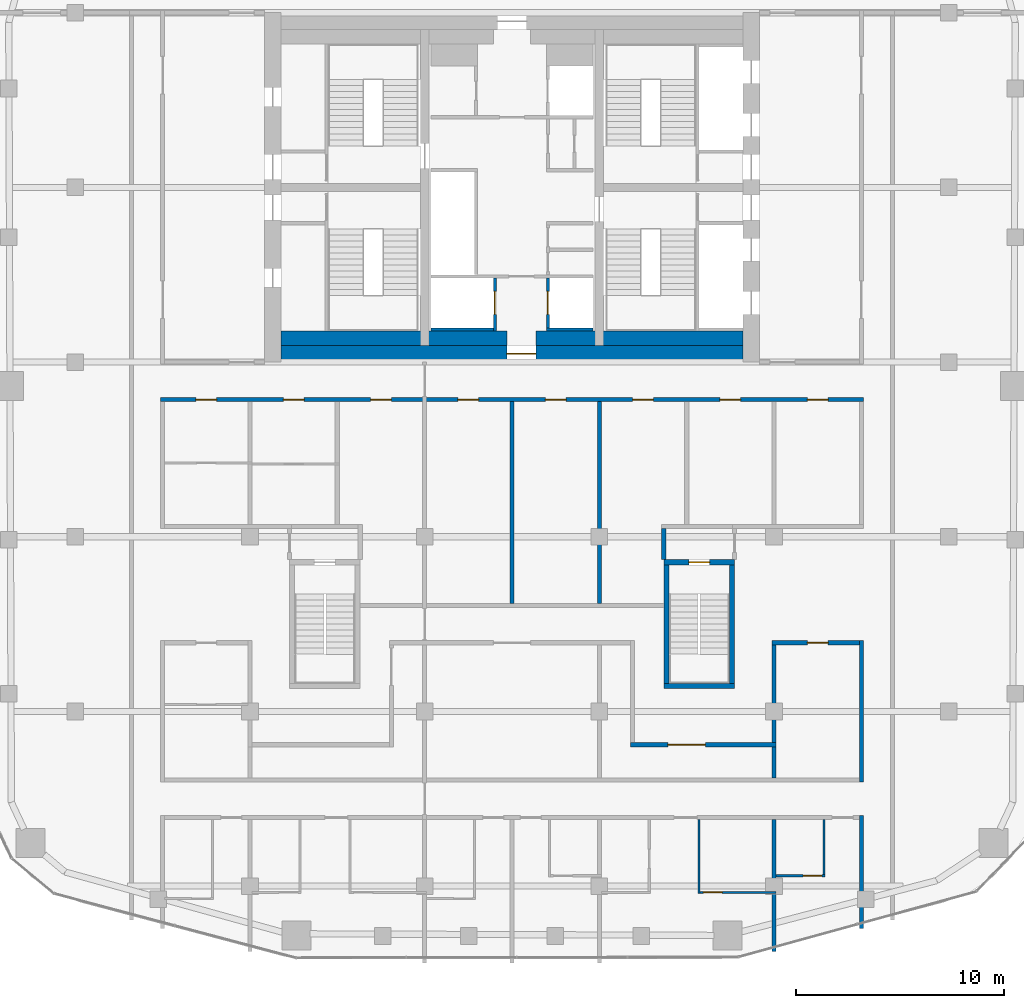
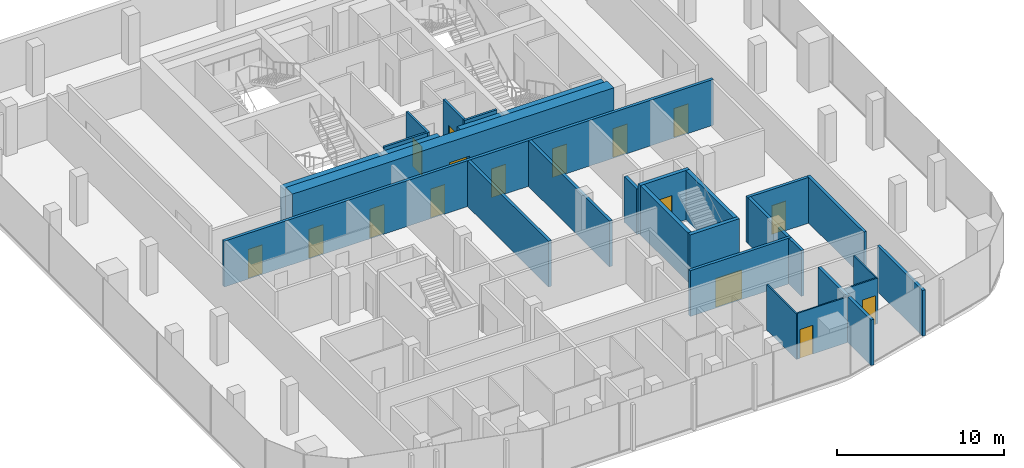
# One storey, part 15 of 20: 26 walls, 16 doors, 16 openings.
"""IFC4 building model written with IfcOpenShell, lengths in metres."""

from ifc_helpers import new_model, si_unit, direction, frame, frame_2d, origin, place, context, subcontext, project, spatial, rectangle, extrude, material, layer, layer_set, type_object, element, fill, save


model = new_model("IFC4")

# Units and contexts
model_context = context("Model", 3, precision=1e-05, world=origin(), true_north=direction((0.0, 1.0)))
body_context = subcontext(model_context, "Body", "Model", "MODEL_VIEW")
ifc_project = project(units=[si_unit("LENGTHUNIT", "METRE"), si_unit("AREAUNIT", "SQUARE_METRE"), si_unit("VOLUMEUNIT", "CUBIC_METRE"), si_unit("PLANEANGLEUNIT", "RADIAN"), si_unit("MASSUNIT", "GRAM", prefix="KILO")], contexts=[model_context])

# Site, building, storey
site_placement = place(None, origin())
site = spatial("IfcSite", under=ifc_project, at=site_placement, CompositionType="ELEMENT")
building_placement = place(site_placement, origin())
building = spatial("IfcBuilding", under=site, at=building_placement, Name="Marenta Gate Hotel Tower", CompositionType="ELEMENT")
storey_placement = place(building_placement, frame((0.0, 0.0, 216.5)))
storey = spatial("IfcBuildingStorey", under=building, at=storey_placement, Name="L50", CompositionType="ELEMENT", Elevation=216.5)

# Walls
ifc_material_1 = material(Name="Concrete C40", Category="concrete")
ifc_layer_1 = layer(ifc_material_1, 0.699951171875)
ifc_layer_set_1 = layer_set([ifc_layer_1], Name="Concrete C40")
wall_type_1 = type_object("IfcWallType", Name="Core lining wall 700 REI 180", PredefinedType="PARTITIONING", material=ifc_layer_set_1)
wall_1_placement = place(storey_placement, frame((-11.10009765625, 1.14990234375, 0.0), z_axis=(0.0, 0.0, 1.0), x_axis=(1.0, 0.0, 0.0)))
element("IfcWall", 1, at=wall_1_placement, inside=storey, type_object=wall_type_1, Name="L50-CP-LN-S1", PredefinedType="PARTITIONING", context=body_context, shape_type="SweptSolid", body=[
    extrude(rectangle(XDim=10.85009765625, YDim=0.699951171875, at=frame_2d((5.425048828125, 0.0))), origin(), (0.0, 0.0, 1.0), 3.340087890625),
])
wall_2_placement = place(storey_placement, frame((1.14990234375, 1.14990234375, 0.0), z_axis=(0.0, 0.0, 1.0), x_axis=(1.0, 0.0, 0.0)))
element("IfcWall", 2, at=wall_2_placement, inside=storey, type_object=wall_type_1, Name="L50-CP-LN-S2", PredefinedType="PARTITIONING", context=body_context, shape_type="SweptSolid", body=[
    extrude(rectangle(XDim=9.9501953125, YDim=0.699951171875, at=frame_2d((4.97509765625, 0.0))), origin(), (0.0, 0.0, 1.0), 3.340087890625),
])

# Wall, opening, door
ifc_material_2 = material(Name="Concrete C40", Category="concrete")
ifc_layer_2 = layer(ifc_material_2, 0.14990234375)
ifc_layer_set_2 = layer_set([ifc_layer_2], Name="Concrete C40")
wall_type_2 = type_object("IfcWallType", Name="Core shaft wall 150 REI 180", PredefinedType="SHEAR", material=ifc_layer_set_2)
wall_3_placement = place(storey_placement, frame((-0.824951171875, 1.5, 0.0), z_axis=(0.0, 0.0, 1.0), x_axis=(0.0, 1.0, 0.0)))
wall_3 = element("IfcWall", 3, at=wall_3_placement, inside=storey, type_object=wall_type_2, Name="L50-SHF-CW-W-ff", PredefinedType="SHEAR", context=body_context, shape_type="SweptSolid", body=[
    extrude(rectangle(XDim=2.550048828125, YDim=0.14990234375, at=frame_2d((1.27490234375, 0.0))), origin(), (0.0, 0.0, 1.0), 3.60009765625),
])
opening_1_placement = place(wall_3_placement, frame((0.800048828125, 0.0, 0.0)))
opening_1 = element("IfcOpeningElement", 4, at=opening_1_placement, cuts=wall_3, Name="Opening LD-FF1", PredefinedType="OPENING", context=body_context, shape_type="SweptSolid", body=[
    extrude(rectangle(XDim=1.10009765625, YDim=2.10009765625, at=frame_2d((0.550048828125, 1.050048828125))), frame((0.0, 0.074951171875, 0.0), z_axis=(0.0, -1.0, 0.0), x_axis=(1.0, 0.0, 0.0)), (0.0, 0.0, 1.0), 0.14990234375),
])
ifc_material_3 = material(Name="Steel", Category="steel")
door_type_1 = type_object("IfcDoorType", Name="Core lift landing door 1100x2100 E 60", OperationType="SLIDING_TO_LEFT", PredefinedType="DOOR", material=ifc_material_3)
door_1_placement = place(opening_1_placement, origin())
door_1 = element("IfcDoor", 5, at=door_1_placement, inside=storey, type_object=door_type_1, Name="LD-FF1", OperationType="SLIDING_TO_LEFT", OverallHeight=2.10009765625, OverallWidth=1.10009765625, PredefinedType="DOOR", context=body_context, shape_type="SweptSolid", body=[
    extrude(rectangle(XDim=1.10009765625, YDim=2.10009765625, at=frame_2d((0.550048828125, 1.050048828125))), frame((0.0, 0.02490234375, 0.0), z_axis=(0.0, -1.0, 0.0), x_axis=(1.0, 0.0, 0.0)), (0.0, 0.0, 1.0), 0.050048828125),
])
fill(opening_1, door_1)

# Wall
wall_4_placement = place(storey_placement, frame((-3.89990234375, 1.574951171875, 0.0), z_axis=(0.0, 0.0, 1.0), x_axis=(1.0, 0.0, 0.0)))
element("IfcWall", 6, at=wall_4_placement, inside=storey, type_object=wall_type_2, Name="L50-SHF-CW-W-ffs", PredefinedType="SHEAR", context=body_context, shape_type="SweptSolid", body=[
    extrude(rectangle(XDim=3.0, YDim=0.14990234375, at=frame_2d((1.5, 0.0))), origin(), (0.0, 0.0, 1.0), 3.60009765625),
])

# Wall, opening, door
wall_5_placement = place(storey_placement, frame((1.72509765625, 1.64990234375, 0.0), z_axis=(0.0, 0.0, 1.0), x_axis=(0.0, 1.0, 0.0)))
wall_5 = element("IfcWall", 7, at=wall_5_placement, inside=storey, type_object=wall_type_2, Name="L50-SHF-CE-S-ls", PredefinedType="SHEAR", context=body_context, shape_type="SweptSolid", body=[
    extrude(rectangle(XDim=2.400146484375, YDim=0.14990234375, at=frame_2d((1.2001953125, 0.0))), origin(), (0.0, 0.0, 1.0), 3.60009765625),
])
opening_2_placement = place(wall_5_placement, frame((0.64990234375, 0.0, 0.0)))
opening_2 = element("IfcOpeningElement", 8, at=opening_2_placement, cuts=wall_5, Name="Opening LD-SV1", PredefinedType="OPENING", context=body_context, shape_type="SweptSolid", body=[
    extrude(rectangle(XDim=1.10009765625, YDim=2.10009765625, at=frame_2d((0.550048828125, 1.050048828125))), frame((0.0, 0.074951171875, 0.0), z_axis=(0.0, -1.0, 0.0), x_axis=(1.0, 0.0, 0.0)), (0.0, 0.0, 1.0), 0.14990234375),
])
door_2_placement = place(opening_2_placement, origin())
door_2 = element("IfcDoor", 9, at=door_2_placement, inside=storey, type_object=door_type_1, Name="LD-SV1", OperationType="SLIDING_TO_LEFT", OverallHeight=2.10009765625, OverallWidth=1.10009765625, PredefinedType="DOOR", context=body_context, shape_type="SweptSolid", body=[
    extrude(rectangle(XDim=1.10009765625, YDim=2.10009765625, at=frame_2d((0.550048828125, 1.050048828125))), frame((0.0, 0.02490234375, 0.0), z_axis=(0.0, -1.0, 0.0), x_axis=(1.0, 0.0, 0.0)), (0.0, 0.0, 1.0), 0.050048828125),
])
fill(opening_2, door_2)

# Wall
wall_6_placement = place(storey_placement, frame((1.64990234375, 1.574951171875, 0.0), z_axis=(0.0, 0.0, 1.0), x_axis=(1.0, 0.0, 0.0)))
element("IfcWall", 10, at=wall_6_placement, inside=storey, type_object=wall_type_2, Name="L50-SHF-CE-S-bot", PredefinedType="SHEAR", context=body_context, shape_type="SweptSolid", body=[
    extrude(rectangle(XDim=2.25, YDim=0.14990234375, at=frame_2d((1.125, 0.0))), origin(), (0.0, 0.0, 1.0), 3.60009765625),
])

# Wall, opening, door
ifc_material_4 = material(Name="Concrete C60", Category="concrete")
ifc_layer_3 = layer(ifc_material_4, 0.800048828125)
ifc_layer_set_3 = layer_set([ifc_layer_3], Name="Concrete C60")
wall_type_3 = type_object("IfcWallType", Name="Core wall 800 C60", PredefinedType="SHEAR", material=ifc_layer_set_3)
wall_7_placement = place(storey_placement, frame((-11.10009765625, 0.39990234375, 0.0), z_axis=(0.0, 0.0, 1.0), x_axis=(1.0, 0.0, 0.0)))
wall_7 = element("IfcWall", 11, at=wall_7_placement, inside=storey, type_object=wall_type_3, Name="L50-CORE-S", PredefinedType="SHEAR", context=body_context, shape_type="SweptSolid", body=[
    extrude(rectangle(XDim=22.2001953125, YDim=0.800048828125, at=frame_2d((11.10009765625, 0.0))), origin(), (0.0, 0.0, 1.0), 3.60009765625),
])
opening_3_placement = place(wall_7_placement, frame((10.85009765625, 0.0, 0.0)))
opening_3 = element("IfcOpeningElement", 12, at=opening_3_placement, cuts=wall_7, Name="Opening RFD-S", PredefinedType="OPENING", context=body_context, shape_type="SweptSolid", body=[
    extrude(rectangle(XDim=1.39990234375, YDim=2.10009765625, at=frame_2d((0.699951171875, 1.050048828125))), frame((0.0, 0.39990234375, 0.0), z_axis=(0.0, -1.0, 0.0), x_axis=(1.0, 0.0, 0.0)), (0.0, 0.0, 1.0), 0.800048828125),
])
ifc_material_5 = material(Name="Steel", Category="steel")
door_type_2 = type_object("IfcDoorType", Name="Core lobby door 1400x2100 FD60", OperationType="SINGLE_SWING_LEFT", PredefinedType="DOOR", material=ifc_material_5)
door_3_placement = place(opening_3_placement, origin())
door_3 = element("IfcDoor", 13, at=door_3_placement, inside=storey, type_object=door_type_2, Name="RFD-S", OperationType="SINGLE_SWING_LEFT", OverallHeight=2.10009765625, OverallWidth=1.39990234375, PredefinedType="DOOR", context=body_context, shape_type="SweptSolid", body=[
    extrude(rectangle(XDim=1.39990234375, YDim=2.10009765625, at=frame_2d((0.699951171875, 1.050048828125))), frame((0.0, 0.02490234375, 0.0), z_axis=(0.0, -1.0, 0.0), x_axis=(1.0, 0.0, 0.0)), (0.0, 0.0, 1.0), 0.050048828125),
])
fill(opening_3, door_3)

# Wall
ifc_material_6 = material(Name="Concrete C40", Category="concrete")
ifc_layer_4 = layer(ifc_material_6, 0.25)
ifc_layer_set_4 = layer_set([ifc_layer_4], Name="Concrete C40")
wall_type_4 = type_object("IfcWallType", Name="Remote stair enclosure wall 250 REI 180", PredefinedType="SHEAR", material=ifc_layer_set_4)
wall_8_placement = place(storey_placement, frame((7.300048828125, -15.574951171875, 0.10009765625), z_axis=(0.0, 0.0, 1.0), x_axis=(1.0, 0.0, 0.0)))
element("IfcWall", 14, at=wall_8_placement, inside=storey, type_object=wall_type_4, Name="L50-RS-Z3-2-W1", PredefinedType="SHEAR", context=body_context, shape_type="SweptSolid", body=[
    extrude(rectangle(XDim=3.39990234375, YDim=0.25, at=frame_2d((1.699951171875, 0.0))), origin(), (0.0, 0.0, 1.0), 3.599853515625),
])

# Wall, opening, door
wall_9_placement = place(storey_placement, frame((7.300048828125, -9.625, 0.10009765625), z_axis=(0.0, 0.0, 1.0), x_axis=(1.0, 0.0, 0.0)))
wall_9 = element("IfcWall", 15, at=wall_9_placement, inside=storey, type_object=wall_type_4, Name="L50-RS-Z3-2-W2", PredefinedType="SHEAR", context=body_context, shape_type="SweptSolid", body=[
    extrude(rectangle(XDim=3.39990234375, YDim=0.25, at=frame_2d((1.699951171875, 0.0))), origin(), (0.0, 0.0, 1.0), 3.599853515625),
])
opening_4_placement = place(wall_9_placement, frame((1.199951171875, 0.0, 0.0)))
opening_4 = element("IfcOpeningElement", 16, at=opening_4_placement, cuts=wall_9, Name="Opening VD", PredefinedType="OPENING", context=body_context, shape_type="SweptSolid", body=[
    extrude(rectangle(XDim=1.0, YDim=2.10009765625, at=frame_2d((0.5, 1.050048828125))), frame((0.0, 0.125, 0.0), z_axis=(0.0, -1.0, 0.0), x_axis=(1.0, 0.0, 0.0)), (0.0, 0.0, 1.0), 0.25),
])
ifc_material_7 = material(Name="Steel", Category="steel")
door_type_3 = type_object("IfcDoorType", Name="Stair vestibule door 1000x2100 FD60", OperationType="SINGLE_SWING_LEFT", PredefinedType="DOOR", material=ifc_material_7)
door_4_placement = place(opening_4_placement, origin())
door_4 = element("IfcDoor", 17, at=door_4_placement, inside=storey, type_object=door_type_3, Name="VD", OperationType="SINGLE_SWING_LEFT", OverallHeight=2.10009765625, OverallWidth=1.0, PredefinedType="DOOR", context=body_context, shape_type="SweptSolid", body=[
    extrude(rectangle(XDim=1.0, YDim=2.10009765625, at=frame_2d((0.5, 1.050048828125))), frame((0.0, 0.02490234375, 0.0), z_axis=(0.0, -1.0, 0.0), x_axis=(1.0, 0.0, 0.0)), (0.0, 0.0, 1.0), 0.050048828125),
])
fill(opening_4, door_4)

# Walls
for number, where, z_axis, x_axis, name in (
    (18, (7.425048828125, -15.449951171875, 0.10009765625), (0.0, 0.0, 1.0), (0.0, 1.0, 0.0), "L50-RS-Z3-2-W3"),
    (19, (10.574951171875, -15.449951171875, 0.10009765625), (0.0, 0.0, 1.0), (0.0, 1.0, 0.0), "L50-RS-Z3-2-W4"),
):
    element("IfcWall", number, at=place(storey_placement, frame(where, z_axis=z_axis, x_axis=x_axis)), inside=storey, type_object=wall_type_4, Name=name, PredefinedType="SHEAR", context=body_context, shape_type="SweptSolid", body=[
        extrude(rectangle(XDim=5.699951171875, YDim=0.25, at=frame_2d((2.85009765625, 0.0))), origin(), (0.0, 0.0, 1.0), 3.599853515625),
    ])

# Wall, openings, doors
ifc_material_8 = material(Name="Concrete blockwork", Category="masonry")
ifc_layer_5 = layer(ifc_material_8, 0.199951171875)
ifc_layer_set_5 = layer_set([ifc_layer_5], Name="Concrete blockwork")
wall_type_5 = type_object("IfcWallType", Name="Room corridor wall 200 EI 120", PredefinedType="PARTITIONING", material=ifc_layer_set_5)
wall_10_placement = place(storey_placement, frame((-16.89990234375, -1.800048828125, 0.0), z_axis=(0.0, 0.0, 1.0), x_axis=(1.0, 0.0, 0.0)))
wall_10 = element("IfcWall", 20, at=wall_10_placement, inside=storey, type_object=wall_type_5, Name="L50-PTN-W043", PredefinedType="PARTITIONING", context=body_context, shape_type="SweptSolid", body=[
    extrude(rectangle(XDim=33.7998046875, YDim=0.199951171875, at=frame_2d((16.89990234375, 0.0))), origin(), (0.0, 0.0, 1.0), 3.340087890625),
])
opening_5_placement = place(wall_10_placement, frame((1.699951171875, 0.0, 0.0)))
opening_5 = element("IfcOpeningElement", 21, at=opening_5_placement, cuts=wall_10, Name="Opening G18-01", PredefinedType="OPENING", context=body_context, shape_type="SweptSolid", body=[
    extrude(rectangle(XDim=1.0, YDim=2.10009765625, at=frame_2d((0.5, 1.050048828125))), frame((0.0, 0.10009765625, 0.0), z_axis=(0.0, -1.0, 0.0), x_axis=(1.0, 0.0, 0.0)), (0.0, 0.0, 1.0), 0.199951171875),
])
opening_6_placement = place(wall_10_placement, frame((5.89990234375, 0.0, 0.0)))
opening_6 = element("IfcOpeningElement", 22, at=opening_6_placement, cuts=wall_10, Name="Opening G18-03", PredefinedType="OPENING", context=body_context, shape_type="SweptSolid", body=[
    extrude(rectangle(XDim=1.0, YDim=2.10009765625, at=frame_2d((0.5, 1.050048828125))), frame((0.0, 0.10009765625, 0.0), z_axis=(0.0, -1.0, 0.0), x_axis=(1.0, 0.0, 0.0)), (0.0, 0.0, 1.0), 0.199951171875),
])
opening_7_placement = place(wall_10_placement, frame((10.10009765625, 0.0, 0.0)))
opening_7 = element("IfcOpeningElement", 23, at=opening_7_placement, cuts=wall_10, Name="Opening G18-05", PredefinedType="OPENING", context=body_context, shape_type="SweptSolid", body=[
    extrude(rectangle(XDim=1.0, YDim=2.10009765625, at=frame_2d((0.5, 1.050048828125))), frame((0.0, 0.10009765625, 0.0), z_axis=(0.0, -1.0, 0.0), x_axis=(1.0, 0.0, 0.0)), (0.0, 0.0, 1.0), 0.199951171875),
])
opening_8_placement = place(wall_10_placement, frame((14.300048828125, 0.0, 0.0)))
opening_8 = element("IfcOpeningElement", 24, at=opening_8_placement, cuts=wall_10, Name="Opening G18-06", PredefinedType="OPENING", context=body_context, shape_type="SweptSolid", body=[
    extrude(rectangle(XDim=1.0, YDim=2.10009765625, at=frame_2d((0.5, 1.050048828125))), frame((0.0, 0.10009765625, 0.0), z_axis=(0.0, -1.0, 0.0), x_axis=(1.0, 0.0, 0.0)), (0.0, 0.0, 1.0), 0.199951171875),
])
opening_9_placement = place(wall_10_placement, frame((18.5, 0.0, 0.0)))
opening_9 = element("IfcOpeningElement", 25, at=opening_9_placement, cuts=wall_10, Name="Opening G18-07", PredefinedType="OPENING", context=body_context, shape_type="SweptSolid", body=[
    extrude(rectangle(XDim=1.0, YDim=2.10009765625, at=frame_2d((0.5, 1.050048828125))), frame((0.0, 0.10009765625, 0.0), z_axis=(0.0, -1.0, 0.0), x_axis=(1.0, 0.0, 0.0)), (0.0, 0.0, 1.0), 0.199951171875),
])
opening_10_placement = place(wall_10_placement, frame((22.699951171875, 0.0, 0.0)))
opening_10 = element("IfcOpeningElement", 26, at=opening_10_placement, cuts=wall_10, Name="Opening G18-08", PredefinedType="OPENING", context=body_context, shape_type="SweptSolid", body=[
    extrude(rectangle(XDim=1.0, YDim=2.10009765625, at=frame_2d((0.5, 1.050048828125))), frame((0.0, 0.10009765625, 0.0), z_axis=(0.0, -1.0, 0.0), x_axis=(1.0, 0.0, 0.0)), (0.0, 0.0, 1.0), 0.199951171875),
])
opening_11_placement = place(wall_10_placement, frame((26.89990234375, 0.0, 0.0)))
opening_11 = element("IfcOpeningElement", 27, at=opening_11_placement, cuts=wall_10, Name="Opening G18-09", PredefinedType="OPENING", context=body_context, shape_type="SweptSolid", body=[
    extrude(rectangle(XDim=1.0, YDim=2.10009765625, at=frame_2d((0.5, 1.050048828125))), frame((0.0, 0.10009765625, 0.0), z_axis=(0.0, -1.0, 0.0), x_axis=(1.0, 0.0, 0.0)), (0.0, 0.0, 1.0), 0.199951171875),
])
opening_12_placement = place(wall_10_placement, frame((31.10009765625, 0.0, 0.0)))
opening_12 = element("IfcOpeningElement", 28, at=opening_12_placement, cuts=wall_10, Name="Opening G18-10", PredefinedType="OPENING", context=body_context, shape_type="SweptSolid", body=[
    extrude(rectangle(XDim=1.0, YDim=2.10009765625, at=frame_2d((0.5, 1.050048828125))), frame((0.0, 0.10009765625, 0.0), z_axis=(0.0, -1.0, 0.0), x_axis=(1.0, 0.0, 0.0)), (0.0, 0.0, 1.0), 0.199951171875),
])
ifc_material_9 = material(Name="Timber door leaf", Category="wood")
door_type_4 = type_object("IfcDoorType", Name="Room amenity door 1000x2100 EI 60", OperationType="NOTDEFINED", PredefinedType="DOOR", material=ifc_material_9)
door_5_placement = place(opening_7_placement, origin())
door_5 = element("IfcDoor", 29, at=door_5_placement, inside=storey, type_object=door_type_4, Name="L50-PD-D005", OperationType="SINGLE_SWING_RIGHT", OverallHeight=2.10009765625, OverallWidth=1.0, PredefinedType="DOOR", context=body_context, shape_type="SweptSolid", body=[
    extrude(rectangle(XDim=1.0, YDim=2.10009765625, at=frame_2d((0.5, 1.050048828125))), frame((0.0, 0.02490234375, 0.0), z_axis=(0.0, -1.0, 0.0), x_axis=(1.0, 0.0, 0.0)), (0.0, 0.0, 1.0), 0.050048828125),
])
fill(opening_7, door_5)
door_6_placement = place(opening_8_placement, origin())
door_6 = element("IfcDoor", 30, at=door_6_placement, inside=storey, type_object=door_type_4, Name="L50-PD-D006", OperationType="SINGLE_SWING_LEFT", OverallHeight=2.10009765625, OverallWidth=1.0, PredefinedType="DOOR", context=body_context, shape_type="SweptSolid", body=[
    extrude(rectangle(XDim=1.0, YDim=2.10009765625, at=frame_2d((0.5, 1.050048828125))), frame((0.0, 0.02490234375, 0.0), z_axis=(0.0, -1.0, 0.0), x_axis=(1.0, 0.0, 0.0)), (0.0, 0.0, 1.0), 0.050048828125),
])
fill(opening_8, door_6)
door_7_placement = place(opening_9_placement, origin())
door_7 = element("IfcDoor", 31, at=door_7_placement, inside=storey, type_object=door_type_4, Name="L50-PD-D007", OperationType="SINGLE_SWING_RIGHT", OverallHeight=2.10009765625, OverallWidth=1.0, PredefinedType="DOOR", context=body_context, shape_type="SweptSolid", body=[
    extrude(rectangle(XDim=1.0, YDim=2.10009765625, at=frame_2d((0.5, 1.050048828125))), frame((0.0, 0.02490234375, 0.0), z_axis=(0.0, -1.0, 0.0), x_axis=(1.0, 0.0, 0.0)), (0.0, 0.0, 1.0), 0.050048828125),
])
fill(opening_9, door_7)
door_8_placement = place(opening_10_placement, origin())
door_8 = element("IfcDoor", 32, at=door_8_placement, inside=storey, type_object=door_type_4, Name="L50-PD-D008", OperationType="SINGLE_SWING_LEFT", OverallHeight=2.10009765625, OverallWidth=1.0, PredefinedType="DOOR", context=body_context, shape_type="SweptSolid", body=[
    extrude(rectangle(XDim=1.0, YDim=2.10009765625, at=frame_2d((0.5, 1.050048828125))), frame((0.0, 0.02490234375, 0.0), z_axis=(0.0, -1.0, 0.0), x_axis=(1.0, 0.0, 0.0)), (0.0, 0.0, 1.0), 0.050048828125),
])
fill(opening_10, door_8)
door_9_placement = place(opening_11_placement, origin())
door_9 = element("IfcDoor", 33, at=door_9_placement, inside=storey, type_object=door_type_4, Name="L50-PD-D009", OperationType="SINGLE_SWING_RIGHT", OverallHeight=2.10009765625, OverallWidth=1.0, PredefinedType="DOOR", context=body_context, shape_type="SweptSolid", body=[
    extrude(rectangle(XDim=1.0, YDim=2.10009765625, at=frame_2d((0.5, 1.050048828125))), frame((0.0, 0.02490234375, 0.0), z_axis=(0.0, -1.0, 0.0), x_axis=(1.0, 0.0, 0.0)), (0.0, 0.0, 1.0), 0.050048828125),
])
fill(opening_11, door_9)
door_10_placement = place(opening_12_placement, origin())
door_10 = element("IfcDoor", 34, at=door_10_placement, inside=storey, type_object=door_type_4, Name="L50-PD-D010", OperationType="SINGLE_SWING_LEFT", OverallHeight=2.10009765625, OverallWidth=1.0, PredefinedType="DOOR", context=body_context, shape_type="SweptSolid", body=[
    extrude(rectangle(XDim=1.0, YDim=2.10009765625, at=frame_2d((0.5, 1.050048828125))), frame((0.0, 0.02490234375, 0.0), z_axis=(0.0, -1.0, 0.0), x_axis=(1.0, 0.0, 0.0)), (0.0, 0.0, 1.0), 0.050048828125),
])
fill(opening_12, door_10)
ifc_material_10 = material(Name="Hollow steel door set", Category="steel")
door_type_5 = type_object("IfcDoorType", Name="Room service door 1000x2100 EI 60", OperationType="NOTDEFINED", PredefinedType="DOOR", material=ifc_material_10)
door_11_placement = place(opening_5_placement, origin())
door_11 = element("IfcDoor", 35, at=door_11_placement, inside=storey, type_object=door_type_5, Name="L50-PD-D001", OperationType="SINGLE_SWING_LEFT", OverallHeight=2.10009765625, OverallWidth=1.0, PredefinedType="DOOR", context=body_context, shape_type="SweptSolid", body=[
    extrude(rectangle(XDim=1.0, YDim=2.10009765625, at=frame_2d((0.5, 1.050048828125))), frame((0.0, 0.02490234375, 0.0), z_axis=(0.0, -1.0, 0.0), x_axis=(1.0, 0.0, 0.0)), (0.0, 0.0, 1.0), 0.050048828125),
])
fill(opening_5, door_11)
door_12_placement = place(opening_6_placement, origin())
door_12 = element("IfcDoor", 36, at=door_12_placement, inside=storey, type_object=door_type_5, Name="L50-PD-D003", OperationType="SINGLE_SWING_LEFT", OverallHeight=2.10009765625, OverallWidth=1.0, PredefinedType="DOOR", context=body_context, shape_type="SweptSolid", body=[
    extrude(rectangle(XDim=1.0, YDim=2.10009765625, at=frame_2d((0.5, 1.050048828125))), frame((0.0, 0.02490234375, 0.0), z_axis=(0.0, -1.0, 0.0), x_axis=(1.0, 0.0, 0.0)), (0.0, 0.0, 1.0), 0.050048828125),
])
fill(opening_6, door_12)

# Wall, opening, door
ifc_material_11 = material(Name="Gypsum board on steel stud", Category="steel")
ifc_layer_6 = layer(ifc_material_11, 0.199951171875)
ifc_layer_set_6 = layer_set([ifc_layer_6], Name="Gypsum board on steel stud")
wall_type_6 = type_object("IfcWallType", Name="Room corridor wall 200 EI 60", PredefinedType="PARTITIONING", material=ifc_layer_set_6)
wall_11_placement = place(storey_placement, frame((5.699951171875, -18.39990234375, 0.0), z_axis=(0.0, 0.0, 1.0), x_axis=(1.0, 0.0, 0.0)))
wall_11 = element("IfcWall", 37, at=wall_11_placement, inside=storey, type_object=wall_type_6, Name="L50-PTN-W012", PredefinedType="PARTITIONING", context=body_context, shape_type="SweptSolid", body=[
    extrude(rectangle(XDim=7.0, YDim=0.199951171875, at=frame_2d((3.5, 0.0))), origin(), (0.0, 0.0, 1.0), 3.340087890625),
])
opening_13_placement = place(wall_11_placement, frame((1.800048828125, 0.0, 0.0)))
opening_13 = element("IfcOpeningElement", 38, at=opening_13_placement, cuts=wall_11, Name="Opening G18-15", PredefinedType="OPENING", context=body_context, shape_type="SweptSolid", body=[
    extrude(rectangle(XDim=1.800048828125, YDim=2.10009765625, at=frame_2d((0.89990234375, 1.050048828125))), frame((0.0, 0.10009765625, 0.0), z_axis=(0.0, -1.0, 0.0), x_axis=(1.0, 0.0, 0.0)), (0.0, 0.0, 1.0), 0.199951171875),
])
ifc_material_12 = material(Name="Timber door leaf", Category="wood")
door_type_6 = type_object("IfcDoorType", Name="Room amenity door 1800x2100 EI 30", OperationType="DOUBLE_DOOR_SINGLE_SWING", PredefinedType="DOOR", material=ifc_material_12)
door_13_placement = place(opening_13_placement, origin())
door_13 = element("IfcDoor", 39, at=door_13_placement, inside=storey, type_object=door_type_6, Name="L50-PD-D015", OperationType="DOUBLE_DOOR_SINGLE_SWING", OverallHeight=2.10009765625, OverallWidth=1.800048828125, PredefinedType="DOOR", context=body_context, shape_type="SweptSolid", body=[
    extrude(rectangle(XDim=1.800048828125, YDim=2.10009765625, at=frame_2d((0.89990234375, 1.050048828125))), frame((0.0, 0.02490234375, 0.0), z_axis=(0.0, -1.0, 0.0), x_axis=(1.0, 0.0, 0.0)), (0.0, 0.0, 1.0), 0.050048828125),
])
fill(opening_13, door_13)

# Walls
wall_12_placement = place(storey_placement, frame((16.800048828125, -27.22900390625, 0.0), z_axis=(0.0, 0.0, 1.0), x_axis=(0.0, 1.0, 0.0)))
element("IfcWall", 40, at=wall_12_placement, inside=storey, type_object=wall_type_6, Name="L50-PTN-W014", PredefinedType="PARTITIONING", context=body_context, shape_type="SweptSolid", body=[
    extrude(rectangle(XDim=5.428955078125, YDim=0.199951171875, at=frame_2d((2.71435546875, 0.0))), origin(), (0.0, 0.0, 1.0), 3.340087890625),
])
wall_13_placement = place(storey_placement, frame((16.800048828125, -20.199951171875, 0.0), z_axis=(0.0, 0.0, 1.0), x_axis=(0.0, 1.0, 0.0)))
element("IfcWall", 41, at=wall_13_placement, inside=storey, type_object=wall_type_6, Name="L50-PTN-W015", PredefinedType="PARTITIONING", context=body_context, shape_type="SweptSolid", body=[
    extrude(rectangle(XDim=6.800048828125, YDim=0.199951171875, at=frame_2d((3.39990234375, 0.0))), origin(), (0.0, 0.0, 1.0), 3.340087890625),
])

# Wall, opening, door
wall_14_placement = place(storey_placement, frame((12.5, -13.5, 0.0), z_axis=(0.0, 0.0, 1.0), x_axis=(1.0, 0.0, 0.0)))
wall_14 = element("IfcWall", 42, at=wall_14_placement, inside=storey, type_object=wall_type_6, Name="L50-PTN-W021", PredefinedType="PARTITIONING", context=body_context, shape_type="SweptSolid", body=[
    extrude(rectangle(XDim=4.199951171875, YDim=0.199951171875, at=frame_2d((2.10009765625, 0.0))), origin(), (0.0, 0.0, 1.0), 3.340087890625),
])
opening_14_placement = place(wall_14_placement, frame((1.699951171875, 0.0, 0.0)))
opening_14 = element("IfcOpeningElement", 43, at=opening_14_placement, cuts=wall_14, Name="Opening G18-16", PredefinedType="OPENING", context=body_context, shape_type="SweptSolid", body=[
    extrude(rectangle(XDim=1.0, YDim=2.10009765625, at=frame_2d((0.5, 1.050048828125))), frame((0.0, 0.10009765625, 0.0), z_axis=(0.0, -1.0, 0.0), x_axis=(1.0, 0.0, 0.0)), (0.0, 0.0, 1.0), 0.199951171875),
])
ifc_material_13 = material(Name="Timber door leaf", Category="wood")
door_type_7 = type_object("IfcDoorType", Name="Room amenity door 1000x2100 EI 30", OperationType="NOTDEFINED", PredefinedType="DOOR", material=ifc_material_13)
door_14_placement = place(opening_14_placement, origin())
door_14 = element("IfcDoor", 44, at=door_14_placement, inside=storey, type_object=door_type_7, Name="L50-PD-D016", OperationType="SINGLE_SWING_RIGHT", OverallHeight=2.10009765625, OverallWidth=1.0, PredefinedType="DOOR", context=body_context, shape_type="SweptSolid", body=[
    extrude(rectangle(XDim=1.0, YDim=2.10009765625, at=frame_2d((0.5, 1.050048828125))), frame((0.0, 0.02490234375, 0.0), z_axis=(0.0, -1.0, 0.0), x_axis=(1.0, 0.0, 0.0)), (0.0, 0.0, 1.0), 0.050048828125),
])
fill(opening_14, door_14)

# Wall
wall_15_placement = place(storey_placement, frame((12.60009765625, -18.300048828125, 0.0), z_axis=(0.0, 0.0, 1.0), x_axis=(0.0, 1.0, 0.0)))
element("IfcWall", 45, at=wall_15_placement, inside=storey, type_object=wall_type_6, Name="L50-PTN-W025", PredefinedType="PARTITIONING", context=body_context, shape_type="SweptSolid", body=[
    extrude(rectangle(XDim=4.699951171875, YDim=0.199951171875, at=frame_2d((2.35009765625, 0.0))), origin(), (0.0, 0.0, 1.0), 3.340087890625),
])

# Wall, opening, door
ifc_material_14 = material(Name="Gypsum board on steel stud", Category="steel")
ifc_layer_7 = layer(ifc_material_14, 0.10009765625)
ifc_layer_set_7 = layer_set([ifc_layer_7], Name="Gypsum board on steel stud")
wall_type_7 = type_object("IfcWallType", Name="Room partition 100", PredefinedType="PARTITIONING", material=ifc_layer_set_7)
wall_16_placement = place(storey_placement, frame((9.050048828125, -25.5, 0.0), z_axis=(0.0, 0.0, 1.0), x_axis=(1.0, 0.0, 0.0)))
wall_16 = element("IfcWall", 46, at=wall_16_placement, inside=storey, type_object=wall_type_7, Name="L50-PTN-W006", PredefinedType="PARTITIONING", context=body_context, shape_type="SweptSolid", body=[
    extrude(rectangle(XDim=3.64990234375, YDim=0.10009765625, at=frame_2d((1.824951171875, 0.0))), origin(), (0.0, 0.0, 1.0), 3.340087890625),
])
opening_15_placement = place(wall_16_placement, frame((0.14990234375, 0.0, 0.0)))
opening_15 = element("IfcOpeningElement", 47, at=opening_15_placement, cuts=wall_16, Name="Opening G18-27", PredefinedType="OPENING", context=body_context, shape_type="SweptSolid", body=[
    extrude(rectangle(XDim=0.89990234375, YDim=2.10009765625, at=frame_2d((0.449951171875, 1.050048828125))), frame((0.0, 0.050048828125, 0.0), z_axis=(0.0, -1.0, 0.0), x_axis=(1.0, 0.0, 0.0)), (0.0, 0.0, 1.0), 0.10009765625),
])
ifc_material_15 = material(Name="Timber door leaf", Category="wood")
door_type_8 = type_object("IfcDoorType", Name="Guest bathroom door 900x2100", OperationType="NOTDEFINED", PredefinedType="DOOR", material=ifc_material_15)
door_15_placement = place(opening_15_placement, origin())
door_15 = element("IfcDoor", 48, at=door_15_placement, inside=storey, type_object=door_type_8, Name="L50-PD-D027", OperationType="SINGLE_SWING_LEFT", OverallHeight=2.10009765625, OverallWidth=0.89990234375, PredefinedType="DOOR", context=body_context, shape_type="SweptSolid", body=[
    extrude(rectangle(XDim=0.89990234375, YDim=2.10009765625, at=frame_2d((0.449951171875, 1.050048828125))), frame((0.0, 0.02490234375, 0.0), z_axis=(0.0, -1.0, 0.0), x_axis=(1.0, 0.0, 0.0)), (0.0, 0.0, 1.0), 0.050048828125),
])
fill(opening_15, door_15)

wall_17_placement = place(storey_placement, frame((12.699951171875, -24.699951171875, 0.0), z_axis=(0.0, 0.0, 1.0), x_axis=(1.0, 0.0, 0.0)))
wall_17 = element("IfcWall", 49, at=wall_17_placement, inside=storey, type_object=wall_type_7, Name="L50-PTN-W008", PredefinedType="PARTITIONING", context=body_context, shape_type="SweptSolid", body=[
    extrude(rectangle(XDim=2.35009765625, YDim=0.10009765625, at=frame_2d((1.175048828125, 0.0))), origin(), (0.0, 0.0, 1.0), 3.340087890625),
])
opening_16_placement = place(wall_17_placement, frame((1.300048828125, 0.0, 0.0)))
opening_16 = element("IfcOpeningElement", 50, at=opening_16_placement, cuts=wall_17, Name="Opening G18-30", PredefinedType="OPENING", context=body_context, shape_type="SweptSolid", body=[
    extrude(rectangle(XDim=0.89990234375, YDim=2.10009765625, at=frame_2d((0.449951171875, 1.050048828125))), frame((0.0, 0.050048828125, 0.0), z_axis=(0.0, -1.0, 0.0), x_axis=(1.0, 0.0, 0.0)), (0.0, 0.0, 1.0), 0.10009765625),
])
door_16_placement = place(opening_16_placement, origin())
door_16 = element("IfcDoor", 51, at=door_16_placement, inside=storey, type_object=door_type_8, Name="L50-PD-D030", OperationType="SINGLE_SWING_RIGHT", OverallHeight=2.10009765625, OverallWidth=0.89990234375, PredefinedType="DOOR", context=body_context, shape_type="SweptSolid", body=[
    extrude(rectangle(XDim=0.89990234375, YDim=2.10009765625, at=frame_2d((0.449951171875, 1.050048828125))), frame((0.0, 0.02490234375, 0.0), z_axis=(0.0, -1.0, 0.0), x_axis=(1.0, 0.0, 0.0)), (0.0, 0.0, 1.0), 0.050048828125),
])
fill(opening_16, door_16)

# Walls
wall_18_placement = place(storey_placement, frame((15.0, -24.64990234375, 0.0), z_axis=(0.0, 0.0, 1.0), x_axis=(0.0, 1.0, 0.0)))
element("IfcWall", 52, at=wall_18_placement, inside=storey, type_object=wall_type_7, Name="L50-PTN-W018", PredefinedType="PARTITIONING", context=body_context, shape_type="SweptSolid", body=[
    extrude(rectangle(XDim=2.64990234375, YDim=0.10009765625, at=frame_2d((1.324951171875, 0.0))), origin(), (0.0, 0.0, 1.0), 3.340087890625),
])
wall_19_placement = place(storey_placement, frame((9.0, -25.550048828125, 0.0), z_axis=(0.0, 0.0, 1.0), x_axis=(0.0, 1.0, 0.0)))
element("IfcWall", 53, at=wall_19_placement, inside=storey, type_object=wall_type_7, Name="L50-PTN-W028", PredefinedType="PARTITIONING", context=body_context, shape_type="SweptSolid", body=[
    extrude(rectangle(XDim=3.550048828125, YDim=0.10009765625, at=frame_2d((1.77490234375, 0.0))), origin(), (0.0, 0.0, 1.0), 3.340087890625),
])
ifc_material_16 = material(Name="Gypsum board on steel stud", Category="steel")
ifc_layer_8 = layer(ifc_material_16, 0.199951171875)
ifc_layer_set_8 = layer_set([ifc_layer_8], Name="Gypsum board on steel stud")
wall_type_8 = type_object("IfcWallType", Name="Room party wall 200 EI 60", PredefinedType="PARTITIONING", material=ifc_layer_set_8)
wall_20_placement = place(storey_placement, frame((12.60009765625, -28.343017578125, 0.0), z_axis=(0.0, 0.0, 1.0), x_axis=(0.0, 1.0, 0.0)))
element("IfcWall", 54, at=wall_20_placement, inside=storey, type_object=wall_type_8, Name="L50-PTN-W022", PredefinedType="PARTITIONING", context=body_context, shape_type="SweptSolid", body=[
    extrude(rectangle(XDim=6.343017578125, YDim=0.199951171875, at=frame_2d((3.17138671875, 0.0))), origin(), (0.0, 0.0, 1.0), 3.340087890625),
])
wall_21_placement = place(storey_placement, frame((12.60009765625, -20.0, 0.0), z_axis=(0.0, 0.0, 1.0), x_axis=(0.0, 1.0, 0.0)))
element("IfcWall", 55, at=wall_21_placement, inside=storey, type_object=wall_type_8, Name="L50-PTN-W023", PredefinedType="PARTITIONING", context=body_context, shape_type="SweptSolid", body=[
    extrude(rectangle(XDim=1.5, YDim=0.199951171875, at=frame_2d((0.75, 0.0))), origin(), (0.0, 0.0, 1.0), 3.340087890625),
])
for number, where, z_axis, x_axis, name in (
    (56, (4.199951171875, -11.60009765625, 0.0), (0.0, 0.0, 1.0), (0.0, 1.0, 0.0), "L50-PTN-W041"),
    (57, (0.0, -11.60009765625, 0.0), (0.0, 0.0, 1.0), (0.0, 1.0, 0.0), "L50-PTN-W045"),
):
    element("IfcWall", number, at=place(storey_placement, frame(where, z_axis=z_axis, x_axis=x_axis)), inside=storey, type_object=wall_type_8, Name=name, PredefinedType="PARTITIONING", context=body_context, shape_type="SweptSolid", body=[
        extrude(rectangle(XDim=9.7001953125, YDim=0.199951171875, at=frame_2d((4.85009765625, 0.0))), origin(), (0.0, 0.0, 1.0), 3.340087890625),
    ])
ifc_material_17 = material(Name="Concrete blockwork", Category="masonry")
ifc_layer_9 = layer(ifc_material_17, 0.199951171875)
ifc_layer_set_9 = layer_set([ifc_layer_9], Name="Concrete blockwork")
wall_type_9 = type_object("IfcWallType", Name="Room party wall 200 REI 180", PredefinedType="PARTITIONING", material=ifc_layer_set_9)
wall_22_placement = place(storey_placement, frame((7.300048828125, -9.5, 0.0), z_axis=(0.0, 0.0, 1.0), x_axis=(0.0, 1.0, 0.0)))
element("IfcWall", 58, at=wall_22_placement, inside=storey, type_object=wall_type_9, Name="L50-PTN-W034", PredefinedType="PARTITIONING", context=body_context, shape_type="SweptSolid", body=[
    extrude(rectangle(XDim=1.5, YDim=0.199951171875, at=frame_2d((0.75, 0.0))), origin(), (0.0, 0.0, 1.0), 3.340087890625),
])

save(model, "model.ifc")
